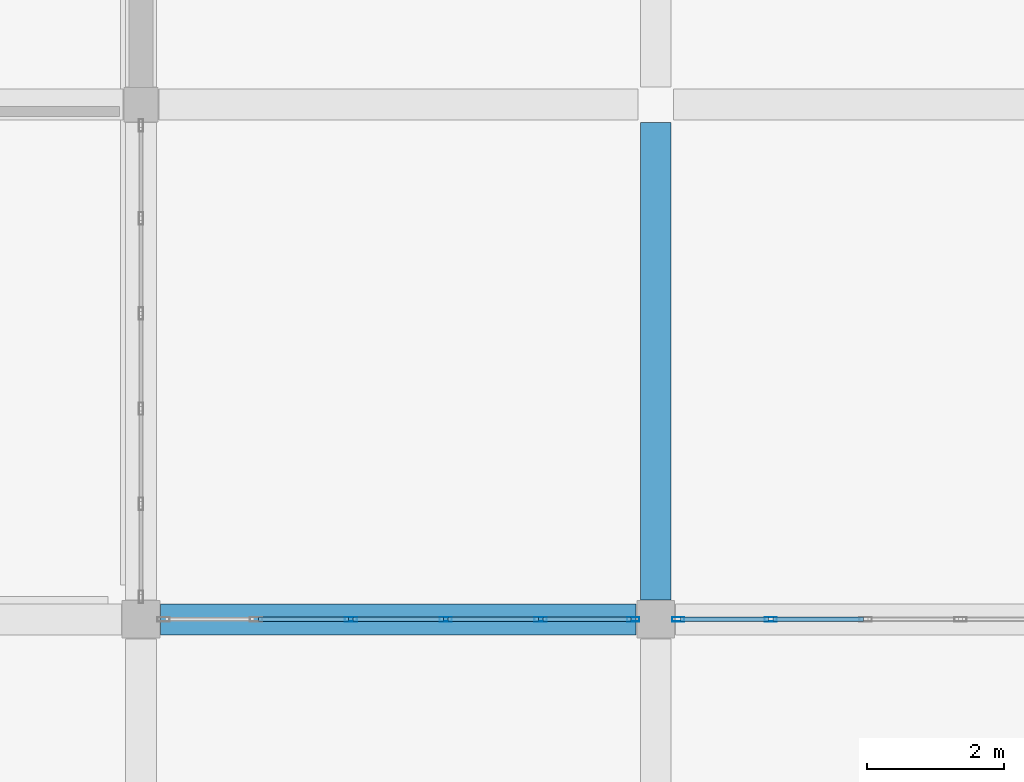
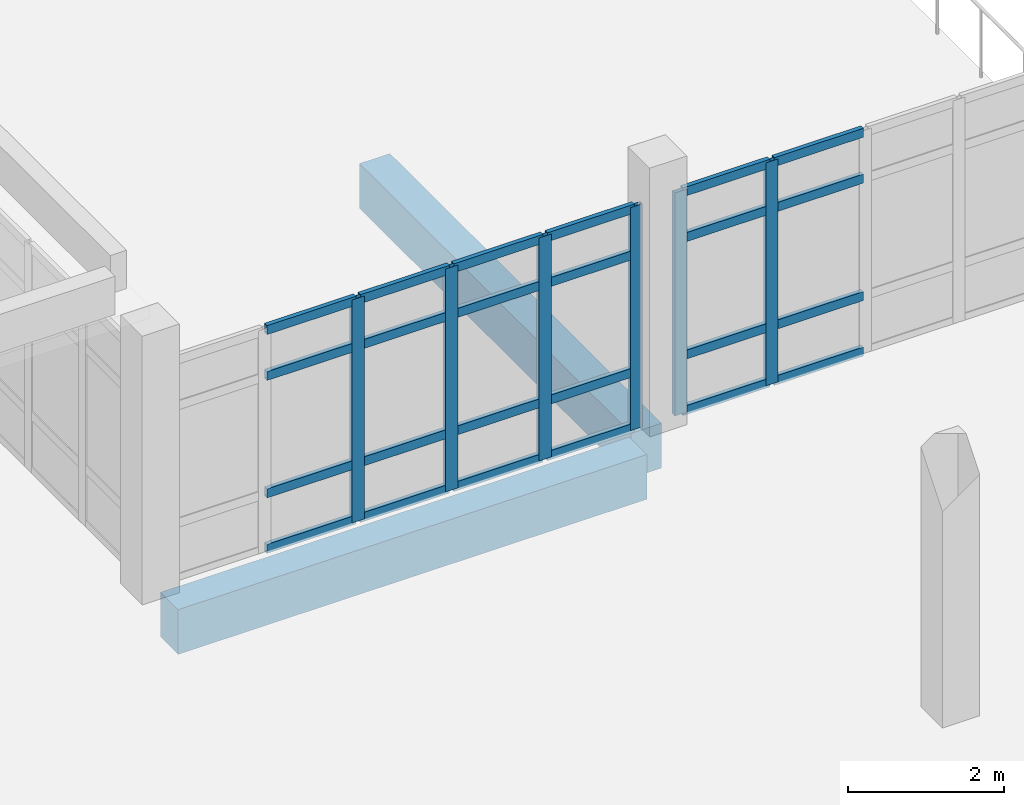
# One storey, part 48 of 164: 30 members, 2 beams, 2 elements without a shape of their own.
"""IFC4 building model written with IfcOpenShell, lengths in metres."""

from ifc_helpers import new_model, si_unit, direction, frame, origin, origin_2d, place, context, subcontext, project, spatial, rectangle, hollow_rectangle, extrude, material, layer, layer_set, material_profile, profile_set, type_object, element, aggregate, save


model = new_model("IFC4")

# Units and contexts
model_context = context("Model", 3, precision=1e-05, world=origin(), true_north=direction((0.0, 1.0)))
body_context = subcontext(model_context, "Body", "Model", "MODEL_VIEW")
ifc_project = project(units=[si_unit("LENGTHUNIT", "METRE"), si_unit("AREAUNIT", "SQUARE_METRE"), si_unit("VOLUMEUNIT", "CUBIC_METRE"), si_unit("PLANEANGLEUNIT", "RADIAN"), si_unit("MASSUNIT", "GRAM", prefix="KILO")], contexts=[model_context])

# Site, building, storey
site_placement = place(None, origin())
site = spatial("IfcSite", under=ifc_project, at=site_placement, CompositionType="ELEMENT")
building_placement = place(site_placement, origin())
building = spatial("IfcBuilding", under=site, at=building_placement, Name="Mawjan Specialist Oncology Clinic", CompositionType="ELEMENT")
storey_placement = place(building_placement, frame((0.0, 0.0, 5.0)))
storey = spatial("IfcBuildingStorey", under=building, at=storey_placement, Name="L01", CompositionType="ELEMENT", Elevation=5.0)

# Beams
ifc_material_1 = material(Name="Concrete C40/50", Category="concrete")
ifc_material_profile_1 = material_profile(ifc_material_1, rectangle(XDim=0.449951171875, YDim=0.699951171875, at=origin_2d()), Name="RC BM 450x700", Category="concrete")
ifc_profile_set_1 = profile_set([ifc_material_profile_1], Name="Concrete C40/50")
beam_type = type_object("IfcBeamType", Name="BM-450x700", PredefinedType="BEAM", material=ifc_profile_set_1)
beam_1_placement = place(storey_placement, frame((30.284912109375, 60.800048828125, -0.64990234375), z_axis=(1.0, 0.0, 0.0), x_axis=(0.0, 1.0, 0.0)))
element("IfcBeam", 1, at=beam_1_placement, inside=storey, type_object=beam_type, Name="L01 Collector Beam BM-L01-0295", PredefinedType="BEAM", context=body_context, shape_type="SweptSolid", body=[
    extrude(rectangle(XDim=0.449951171875, YDim=0.699951171875, at=origin_2d()), origin(), (0.0, 0.0, 1.0), 6.93017578125),
])
beam_2_placement = place(storey_placement, frame((37.5, 61.0849609375, -0.64990234375), z_axis=(0.0, 1.0, 0.0), x_axis=(-1.0, 0.0, 0.0)))
element("IfcBeam", 2, at=beam_2_placement, inside=storey, type_object=beam_type, Name="L01 Collector Beam BM-L01-0470", PredefinedType="BEAM", context=body_context, shape_type="SweptSolid", body=[
    extrude(rectangle(XDim=0.449951171875, YDim=0.699951171875, at=origin_2d()), origin(), (0.0, 0.0, 1.0), 6.955078125),
])

# Curtain wall, members
ifc_material_2 = material(Name="Unitised spectrally selective aluminium curtain wall", Category="aluminium")
ifc_layer = layer(ifc_material_2, 0.179931640625, Name="Unitised spectrally selective aluminium curtain wall", Category="aluminium")
ifc_layer_set = layer_set([ifc_layer], Name="Unitised spectrally selective aluminium curtain wall")
curtain_wall_type = type_object("IfcCurtainWallType", Name="CW-52", PredefinedType="NOTDEFINED", material=ifc_layer_set)
curtain_wall_1_placement = place(storey_placement, origin())
curtain_wall_1 = element("IfcCurtainWall", 3, at=curtain_wall_1_placement, inside=storey, type_object=curtain_wall_type, Name="L01 Unitised Curtain Wall CW-L01-157", PredefinedType="NOTDEFINED")
ifc_material_3 = material(Name="Thermally broken aluminium 6063-T6", Category="aluminium")
ifc_material_profile_2 = material_profile(ifc_material_3, hollow_rectangle(XDim=0.06494140625, YDim=0.179931640625, WallThickness=0.00390625, at=origin_2d()), Name="ALU MULLION 180x65x4", Category="aluminium")
ifc_profile_set_2 = profile_set([ifc_material_profile_2], Name="Thermally broken aluminium 6063-T6")
member_type_1 = type_object("IfcMemberType", Name="CW-M180", PredefinedType="MULLION", material=ifc_profile_set_2)
member_1_placement = place(storey_placement, frame((33.05908203125, 60.800048828125, 0.0), z_axis=(0.0, 0.0, 1.0), x_axis=(0.0, 1.0, 0.0)))
member_1 = element("IfcMember", 4, at=member_1_placement, type_object=member_type_1, Name="CW-52 mullion 3", PredefinedType="MULLION", context=body_context, shape_type="SweptSolid", body=[
    extrude(hollow_rectangle(XDim=0.06494140625, YDim=0.179931640625, WallThickness=0.00390625, at=origin_2d()), origin(), (0.0, 0.0, 1.0), 3.485107421875),
])
member_2_placement = place(storey_placement, frame((34.44091796875, 60.800048828125, 0.0), z_axis=(0.0, 0.0, 1.0), x_axis=(0.0, 1.0, 0.0)))
member_2 = element("IfcMember", 5, at=member_2_placement, type_object=member_type_1, Name="CW-52 mullion 4", PredefinedType="MULLION", context=body_context, shape_type="SweptSolid", body=[
    extrude(hollow_rectangle(XDim=0.06494140625, YDim=0.179931640625, WallThickness=0.00390625, at=origin_2d()), origin(), (0.0, 0.0, 1.0), 3.485107421875),
])
member_3_placement = place(storey_placement, frame((35.822998046875, 60.800048828125, 0.0), z_axis=(0.0, 0.0, 1.0), x_axis=(0.0, 1.0, 0.0)))
member_3 = element("IfcMember", 6, at=member_3_placement, type_object=member_type_1, Name="CW-52 mullion 5", PredefinedType="MULLION", context=body_context, shape_type="SweptSolid", body=[
    extrude(hollow_rectangle(XDim=0.06494140625, YDim=0.179931640625, WallThickness=0.00390625, at=origin_2d()), origin(), (0.0, 0.0, 1.0), 3.485107421875),
])
member_4_placement = place(storey_placement, frame((37.172607421875, 60.800048828125, 0.0), z_axis=(0.0, 0.0, 1.0), x_axis=(0.0, 1.0, 0.0)))
member_4 = element("IfcMember", 7, at=member_4_placement, type_object=member_type_1, Name="CW-52 mullion 6", PredefinedType="MULLION", context=body_context, shape_type="SweptSolid", body=[
    extrude(hollow_rectangle(XDim=0.06494140625, YDim=0.179931640625, WallThickness=0.00390625, at=origin_2d()), origin(), (0.0, 0.0, 1.0), 3.485107421875),
])

curtain_wall_2_placement = place(storey_placement, origin())
curtain_wall_2 = element("IfcCurtainWall", 8, at=curtain_wall_2_placement, inside=storey, type_object=curtain_wall_type, Name="L01 Unitised Curtain Wall CW-L01-158", PredefinedType="NOTDEFINED")
member_5_placement = place(storey_placement, frame((37.827392578125, 60.800048828125, 0.0), z_axis=(0.0, 0.0, 1.0), x_axis=(0.0, 1.0, 0.0)))
member_5 = element("IfcMember", 9, at=member_5_placement, type_object=member_type_1, Name="CW-52 mullion 1", PredefinedType="MULLION", context=body_context, shape_type="SweptSolid", body=[
    extrude(hollow_rectangle(XDim=0.06494140625, YDim=0.179931640625, WallThickness=0.00390625, at=origin_2d()), origin(), (0.0, 0.0, 1.0), 3.485107421875),
])
member_6_placement = place(storey_placement, frame((39.177001953125, 60.800048828125, 0.0), z_axis=(0.0, 0.0, 1.0), x_axis=(0.0, 1.0, 0.0)))
member_6 = element("IfcMember", 10, at=member_6_placement, type_object=member_type_1, Name="CW-52 mullion 2", PredefinedType="MULLION", context=body_context, shape_type="SweptSolid", body=[
    extrude(hollow_rectangle(XDim=0.06494140625, YDim=0.179931640625, WallThickness=0.00390625, at=origin_2d()), origin(), (0.0, 0.0, 1.0), 3.485107421875),
])

# Member
ifc_material_4 = material(Name="Thermally broken aluminium 6063-T6", Category="aluminium")
ifc_material_profile_3 = material_profile(ifc_material_4, hollow_rectangle(XDim=0.06494140625, YDim=0.139892578125, WallThickness=0.00390625, at=origin_2d()), Name="ALU TRANSOM 140x65x4", Category="aluminium")
ifc_profile_set_3 = profile_set([ifc_material_profile_3], Name="Thermally broken aluminium 6063-T6")
member_type_2 = type_object("IfcMemberType", Name="CW-T140", PredefinedType="USERDEFINED", material=ifc_profile_set_3)
member_7_placement = place(storey_placement, frame((31.70947265625, 60.800048828125, 0.032470703125), z_axis=(1.0, 0.0, 0.0), x_axis=(0.0, 1.0, 0.0)))
member_7 = element("IfcMember", 11, at=member_7_placement, type_object=member_type_2, Name="CW-52 transom 2.1", ObjectType="TRANSOM", PredefinedType="USERDEFINED", context=body_context, shape_type="SweptSolid", body=[
    extrude(hollow_rectangle(XDim=0.06494140625, YDim=0.139892578125, WallThickness=0.00390625, at=origin_2d()), origin(), (0.0, 0.0, 1.0), 1.317138671875),
])

member_8_placement = place(storey_placement, frame((31.70947265625, 60.800048828125, 0.89990234375), z_axis=(1.0, 0.0, 0.0), x_axis=(0.0, 1.0, 0.0)))
member_8 = element("IfcMember", 12, at=member_8_placement, type_object=member_type_2, Name="CW-52 transom 2.2", ObjectType="TRANSOM", PredefinedType="USERDEFINED", context=body_context, shape_type="SweptSolid", body=[
    extrude(hollow_rectangle(XDim=0.06494140625, YDim=0.139892578125, WallThickness=0.00390625, at=origin_2d()), origin(), (0.0, 0.0, 1.0), 1.317138671875),
])

member_9_placement = place(storey_placement, frame((31.70947265625, 60.800048828125, 2.735107421875), z_axis=(1.0, 0.0, 0.0), x_axis=(0.0, 1.0, 0.0)))
member_9 = element("IfcMember", 13, at=member_9_placement, type_object=member_type_2, Name="CW-52 transom 2.3", ObjectType="TRANSOM", PredefinedType="USERDEFINED", context=body_context, shape_type="SweptSolid", body=[
    extrude(hollow_rectangle(XDim=0.06494140625, YDim=0.139892578125, WallThickness=0.00390625, at=origin_2d()), origin(), (0.0, 0.0, 1.0), 1.317138671875),
])

member_10_placement = place(storey_placement, frame((31.70947265625, 60.800048828125, 3.452392578125), z_axis=(1.0, 0.0, 0.0), x_axis=(0.0, 1.0, 0.0)))
member_10 = element("IfcMember", 14, at=member_10_placement, type_object=member_type_2, Name="CW-52 transom 2.4", ObjectType="TRANSOM", PredefinedType="USERDEFINED", context=body_context, shape_type="SweptSolid", body=[
    extrude(hollow_rectangle(XDim=0.06494140625, YDim=0.139892578125, WallThickness=0.00390625, at=origin_2d()), origin(), (0.0, 0.0, 1.0), 1.317138671875),
])

member_11_placement = place(storey_placement, frame((33.091552734375, 60.800048828125, 0.032470703125), z_axis=(1.0, 0.0, 0.0), x_axis=(0.0, 1.0, 0.0)))
member_11 = element("IfcMember", 15, at=member_11_placement, type_object=member_type_2, Name="CW-52 transom 3.1", ObjectType="TRANSOM", PredefinedType="USERDEFINED", context=body_context, shape_type="SweptSolid", body=[
    extrude(hollow_rectangle(XDim=0.06494140625, YDim=0.139892578125, WallThickness=0.00390625, at=origin_2d()), origin(), (0.0, 0.0, 1.0), 1.31689453125),
])

member_12_placement = place(storey_placement, frame((33.091552734375, 60.800048828125, 0.89990234375), z_axis=(1.0, 0.0, 0.0), x_axis=(0.0, 1.0, 0.0)))
member_12 = element("IfcMember", 16, at=member_12_placement, type_object=member_type_2, Name="CW-52 transom 3.2", ObjectType="TRANSOM", PredefinedType="USERDEFINED", context=body_context, shape_type="SweptSolid", body=[
    extrude(hollow_rectangle(XDim=0.06494140625, YDim=0.139892578125, WallThickness=0.00390625, at=origin_2d()), origin(), (0.0, 0.0, 1.0), 1.31689453125),
])

member_13_placement = place(storey_placement, frame((33.091552734375, 60.800048828125, 2.735107421875), z_axis=(1.0, 0.0, 0.0), x_axis=(0.0, 1.0, 0.0)))
member_13 = element("IfcMember", 17, at=member_13_placement, type_object=member_type_2, Name="CW-52 transom 3.3", ObjectType="TRANSOM", PredefinedType="USERDEFINED", context=body_context, shape_type="SweptSolid", body=[
    extrude(hollow_rectangle(XDim=0.06494140625, YDim=0.139892578125, WallThickness=0.00390625, at=origin_2d()), origin(), (0.0, 0.0, 1.0), 1.31689453125),
])

member_14_placement = place(storey_placement, frame((33.091552734375, 60.800048828125, 3.452392578125), z_axis=(1.0, 0.0, 0.0), x_axis=(0.0, 1.0, 0.0)))
member_14 = element("IfcMember", 18, at=member_14_placement, type_object=member_type_2, Name="CW-52 transom 3.4", ObjectType="TRANSOM", PredefinedType="USERDEFINED", context=body_context, shape_type="SweptSolid", body=[
    extrude(hollow_rectangle(XDim=0.06494140625, YDim=0.139892578125, WallThickness=0.00390625, at=origin_2d()), origin(), (0.0, 0.0, 1.0), 1.31689453125),
])

member_15_placement = place(storey_placement, frame((34.473388671875, 60.800048828125, 0.032470703125), z_axis=(1.0, 0.0, 0.0), x_axis=(0.0, 1.0, 0.0)))
member_15 = element("IfcMember", 19, at=member_15_placement, type_object=member_type_2, Name="CW-52 transom 4.1", ObjectType="TRANSOM", PredefinedType="USERDEFINED", context=body_context, shape_type="SweptSolid", body=[
    extrude(hollow_rectangle(XDim=0.06494140625, YDim=0.139892578125, WallThickness=0.00390625, at=origin_2d()), origin(), (0.0, 0.0, 1.0), 1.317138671875),
])

member_16_placement = place(storey_placement, frame((34.473388671875, 60.800048828125, 0.89990234375), z_axis=(1.0, 0.0, 0.0), x_axis=(0.0, 1.0, 0.0)))
member_16 = element("IfcMember", 20, at=member_16_placement, type_object=member_type_2, Name="CW-52 transom 4.2", ObjectType="TRANSOM", PredefinedType="USERDEFINED", context=body_context, shape_type="SweptSolid", body=[
    extrude(hollow_rectangle(XDim=0.06494140625, YDim=0.139892578125, WallThickness=0.00390625, at=origin_2d()), origin(), (0.0, 0.0, 1.0), 1.317138671875),
])

member_17_placement = place(storey_placement, frame((34.473388671875, 60.800048828125, 2.735107421875), z_axis=(1.0, 0.0, 0.0), x_axis=(0.0, 1.0, 0.0)))
member_17 = element("IfcMember", 21, at=member_17_placement, type_object=member_type_2, Name="CW-52 transom 4.3", ObjectType="TRANSOM", PredefinedType="USERDEFINED", context=body_context, shape_type="SweptSolid", body=[
    extrude(hollow_rectangle(XDim=0.06494140625, YDim=0.139892578125, WallThickness=0.00390625, at=origin_2d()), origin(), (0.0, 0.0, 1.0), 1.317138671875),
])

member_18_placement = place(storey_placement, frame((34.473388671875, 60.800048828125, 3.452392578125), z_axis=(1.0, 0.0, 0.0), x_axis=(0.0, 1.0, 0.0)))
member_18 = element("IfcMember", 22, at=member_18_placement, type_object=member_type_2, Name="CW-52 transom 4.4", ObjectType="TRANSOM", PredefinedType="USERDEFINED", context=body_context, shape_type="SweptSolid", body=[
    extrude(hollow_rectangle(XDim=0.06494140625, YDim=0.139892578125, WallThickness=0.00390625, at=origin_2d()), origin(), (0.0, 0.0, 1.0), 1.317138671875),
])

member_19_placement = place(storey_placement, frame((35.85546875, 60.800048828125, 0.032470703125), z_axis=(1.0, 0.0, 0.0), x_axis=(0.0, 1.0, 0.0)))
member_19 = element("IfcMember", 23, at=member_19_placement, type_object=member_type_2, Name="CW-52 transom 5.1", ObjectType="TRANSOM", PredefinedType="USERDEFINED", context=body_context, shape_type="SweptSolid", body=[
    extrude(hollow_rectangle(XDim=0.06494140625, YDim=0.139892578125, WallThickness=0.00390625, at=origin_2d()), origin(), (0.0, 0.0, 1.0), 1.284423828125),
])

member_20_placement = place(storey_placement, frame((35.85546875, 60.800048828125, 0.89990234375), z_axis=(1.0, 0.0, 0.0), x_axis=(0.0, 1.0, 0.0)))
member_20 = element("IfcMember", 24, at=member_20_placement, type_object=member_type_2, Name="CW-52 transom 5.2", ObjectType="TRANSOM", PredefinedType="USERDEFINED", context=body_context, shape_type="SweptSolid", body=[
    extrude(hollow_rectangle(XDim=0.06494140625, YDim=0.139892578125, WallThickness=0.00390625, at=origin_2d()), origin(), (0.0, 0.0, 1.0), 1.284423828125),
])

member_21_placement = place(storey_placement, frame((35.85546875, 60.800048828125, 2.735107421875), z_axis=(1.0, 0.0, 0.0), x_axis=(0.0, 1.0, 0.0)))
member_21 = element("IfcMember", 25, at=member_21_placement, type_object=member_type_2, Name="CW-52 transom 5.3", ObjectType="TRANSOM", PredefinedType="USERDEFINED", context=body_context, shape_type="SweptSolid", body=[
    extrude(hollow_rectangle(XDim=0.06494140625, YDim=0.139892578125, WallThickness=0.00390625, at=origin_2d()), origin(), (0.0, 0.0, 1.0), 1.284423828125),
])

member_22_placement = place(storey_placement, frame((35.85546875, 60.800048828125, 3.452392578125), z_axis=(1.0, 0.0, 0.0), x_axis=(0.0, 1.0, 0.0)))
member_22 = element("IfcMember", 26, at=member_22_placement, type_object=member_type_2, Name="CW-52 transom 5.4", ObjectType="TRANSOM", PredefinedType="USERDEFINED", context=body_context, shape_type="SweptSolid", body=[
    extrude(hollow_rectangle(XDim=0.06494140625, YDim=0.139892578125, WallThickness=0.00390625, at=origin_2d()), origin(), (0.0, 0.0, 1.0), 1.284423828125),
])

aggregate(curtain_wall_1, [member_1, member_2, member_3, member_4, member_7, member_8, member_9, member_10, member_11, member_12, member_13, member_14, member_15, member_16, member_17, member_18, member_19, member_20, member_21, member_22])

member_23_placement = place(storey_placement, frame((37.860107421875, 60.800048828125, 0.032470703125), z_axis=(1.0, 0.0, 0.0), x_axis=(0.0, 1.0, 0.0)))
member_23 = element("IfcMember", 27, at=member_23_placement, type_object=member_type_2, Name="CW-52 transom 1.1", ObjectType="TRANSOM", PredefinedType="USERDEFINED", context=body_context, shape_type="SweptSolid", body=[
    extrude(hollow_rectangle(XDim=0.06494140625, YDim=0.139892578125, WallThickness=0.00390625, at=origin_2d()), origin(), (0.0, 0.0, 1.0), 1.284423828125),
])

member_24_placement = place(storey_placement, frame((37.860107421875, 60.800048828125, 0.89990234375), z_axis=(1.0, 0.0, 0.0), x_axis=(0.0, 1.0, 0.0)))
member_24 = element("IfcMember", 28, at=member_24_placement, type_object=member_type_2, Name="CW-52 transom 1.2", ObjectType="TRANSOM", PredefinedType="USERDEFINED", context=body_context, shape_type="SweptSolid", body=[
    extrude(hollow_rectangle(XDim=0.06494140625, YDim=0.139892578125, WallThickness=0.00390625, at=origin_2d()), origin(), (0.0, 0.0, 1.0), 1.284423828125),
])

member_25_placement = place(storey_placement, frame((37.860107421875, 60.800048828125, 2.735107421875), z_axis=(1.0, 0.0, 0.0), x_axis=(0.0, 1.0, 0.0)))
member_25 = element("IfcMember", 29, at=member_25_placement, type_object=member_type_2, Name="CW-52 transom 1.3", ObjectType="TRANSOM", PredefinedType="USERDEFINED", context=body_context, shape_type="SweptSolid", body=[
    extrude(hollow_rectangle(XDim=0.06494140625, YDim=0.139892578125, WallThickness=0.00390625, at=origin_2d()), origin(), (0.0, 0.0, 1.0), 1.284423828125),
])

member_26_placement = place(storey_placement, frame((37.860107421875, 60.800048828125, 3.452392578125), z_axis=(1.0, 0.0, 0.0), x_axis=(0.0, 1.0, 0.0)))
member_26 = element("IfcMember", 30, at=member_26_placement, type_object=member_type_2, Name="CW-52 transom 1.4", ObjectType="TRANSOM", PredefinedType="USERDEFINED", context=body_context, shape_type="SweptSolid", body=[
    extrude(hollow_rectangle(XDim=0.06494140625, YDim=0.139892578125, WallThickness=0.00390625, at=origin_2d()), origin(), (0.0, 0.0, 1.0), 1.284423828125),
])

member_27_placement = place(storey_placement, frame((39.20947265625, 60.800048828125, 0.032470703125), z_axis=(1.0, 0.0, 0.0), x_axis=(0.0, 1.0, 0.0)))
member_27 = element("IfcMember", 31, at=member_27_placement, type_object=member_type_2, Name="CW-52 transom 2.1", ObjectType="TRANSOM", PredefinedType="USERDEFINED", context=body_context, shape_type="SweptSolid", body=[
    extrude(hollow_rectangle(XDim=0.06494140625, YDim=0.139892578125, WallThickness=0.00390625, at=origin_2d()), origin(), (0.0, 0.0, 1.0), 1.317138671875),
])

member_28_placement = place(storey_placement, frame((39.20947265625, 60.800048828125, 0.89990234375), z_axis=(1.0, 0.0, 0.0), x_axis=(0.0, 1.0, 0.0)))
member_28 = element("IfcMember", 32, at=member_28_placement, type_object=member_type_2, Name="CW-52 transom 2.2", ObjectType="TRANSOM", PredefinedType="USERDEFINED", context=body_context, shape_type="SweptSolid", body=[
    extrude(hollow_rectangle(XDim=0.06494140625, YDim=0.139892578125, WallThickness=0.00390625, at=origin_2d()), origin(), (0.0, 0.0, 1.0), 1.317138671875),
])

member_29_placement = place(storey_placement, frame((39.20947265625, 60.800048828125, 2.735107421875), z_axis=(1.0, 0.0, 0.0), x_axis=(0.0, 1.0, 0.0)))
member_29 = element("IfcMember", 33, at=member_29_placement, type_object=member_type_2, Name="CW-52 transom 2.3", ObjectType="TRANSOM", PredefinedType="USERDEFINED", context=body_context, shape_type="SweptSolid", body=[
    extrude(hollow_rectangle(XDim=0.06494140625, YDim=0.139892578125, WallThickness=0.00390625, at=origin_2d()), origin(), (0.0, 0.0, 1.0), 1.317138671875),
])

member_30_placement = place(storey_placement, frame((39.20947265625, 60.800048828125, 3.452392578125), z_axis=(1.0, 0.0, 0.0), x_axis=(0.0, 1.0, 0.0)))
member_30 = element("IfcMember", 34, at=member_30_placement, type_object=member_type_2, Name="CW-52 transom 2.4", ObjectType="TRANSOM", PredefinedType="USERDEFINED", context=body_context, shape_type="SweptSolid", body=[
    extrude(hollow_rectangle(XDim=0.06494140625, YDim=0.139892578125, WallThickness=0.00390625, at=origin_2d()), origin(), (0.0, 0.0, 1.0), 1.317138671875),
])

aggregate(curtain_wall_2, [member_5, member_6, member_23, member_24, member_25, member_26, member_27, member_28, member_29, member_30])

save(model, "model.ifc")
